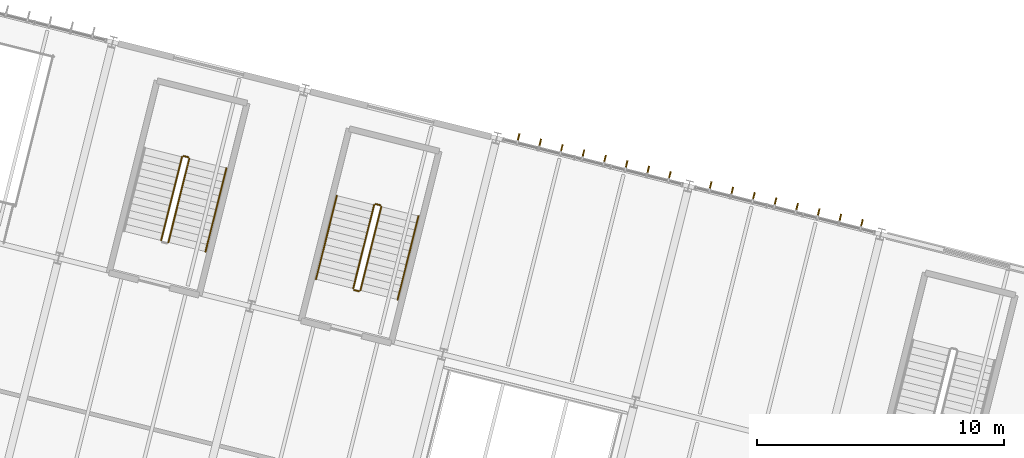
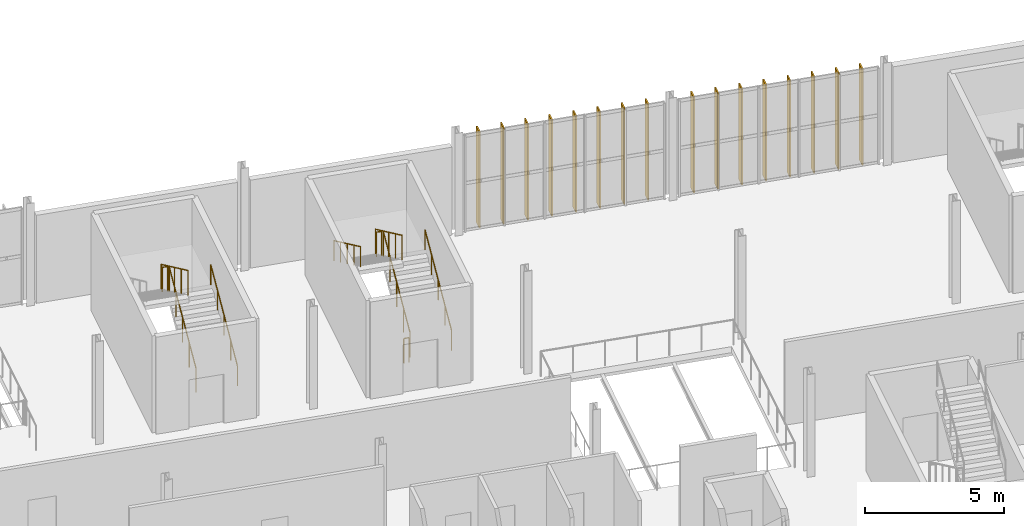
# One storey, part 152 of 152: 16 shading devices, 10 railings.
"""IFC4 building model written with IfcOpenShell, lengths in metres."""

from ifc_helpers import new_model, si_unit, derived_unit, direction, frame, origin, origin_2d, place, context, subcontext, project, spatial, rectangle, circle, extrude, material, layer, layer_set, type_object, element, save


model = new_model("IFC4")

# Units and contexts
model_context = context("Model", 3, precision=1e-05, world=origin(), true_north=direction((0.0, 1.0)))
body_context = subcontext(model_context, "Body", "Model", "MODEL_VIEW")
ifc_project = project(units=[si_unit("LENGTHUNIT", "METRE"), si_unit("AREAUNIT", "SQUARE_METRE"), si_unit("VOLUMEUNIT", "CUBIC_METRE"), si_unit("PLANEANGLEUNIT", "RADIAN"), si_unit("MASSUNIT", "GRAM", prefix="KILO"), si_unit("THERMODYNAMICTEMPERATUREUNIT", "KELVIN"), si_unit("TIMEUNIT", "SECOND"), derived_unit("THERMALTRANSMITTANCEUNIT", [(si_unit("MASSUNIT", "GRAM", prefix="KILO"), 1), (si_unit("THERMODYNAMICTEMPERATUREUNIT", "KELVIN"), -1), (si_unit("TIMEUNIT", "SECOND"), -3)])], contexts=[model_context])

# Site, building, storey
site_placement = place(None, origin())
site = spatial("IfcSite", under=ifc_project, at=site_placement, CompositionType="ELEMENT")
building_placement = place(site_placement, origin())
building = spatial("IfcBuilding", under=site, at=building_placement, Name="Cambertide Market Hall", CompositionType="ELEMENT")
storey_placement = place(building_placement, frame((0.0, 0.0, 5.39990234375)))
storey = spatial("IfcBuildingStorey", under=building, at=storey_placement, Name="L02", CompositionType="ELEMENT", Elevation=5.39990234375)

# Railings
ifc_material_1 = material(Name="Stainless Steel Grade 316", Category="metal")
railing_type_1 = type_object("IfcRailingType", Name="Stair Wall Handrail 900", PredefinedType="HANDRAIL", material=ifc_material_1)
railing_1_placement = place(storey_placement, frame((141.591064453125, 111.908447265625, 0.173095703125)))
element("IfcRailing", 1, at=railing_1_placement, inside=storey, type_object=railing_type_1, Name="Level 2 ST-07B stair handrail 1", PredefinedType="HANDRAIL", context=body_context, shape_type="SweptSolid", body=[
    extrude(circle(Radius=0.02392578125, at=origin_2d()), frame((0.0, 0.0, 0.8759765625), z_axis=(0.208310208814, 0.833060115007, 0.51246239051), x_axis=(-0.970130119141, 0.242585143683, 0.0)), (0.0, 0.0, 1.0), 4.052734375),
    extrude(circle(Radius=0.02099609375, at=origin_2d()), origin(), (0.0, 0.0, 1.0), 0.851806640625),
    extrude(circle(Radius=0.02099609375, at=origin_2d()), frame((0.2109375, 0.843994140625, 0.519287109375)), (0.0, 0.0, 1.0), 0.851806640625),
    extrude(circle(Radius=0.02099609375, at=origin_2d()), frame((0.422119140625, 1.68798828125, 1.03857421875)), (0.0, 0.0, 1.0), 0.851806640625),
    extrude(circle(Radius=0.02099609375, at=origin_2d()), frame((0.63330078125, 2.5322265625, 1.5576171875)), (0.0, 0.0, 1.0), 0.851806640625),
    extrude(circle(Radius=0.02099609375, at=origin_2d()), frame((0.84423828125, 3.376220703125, 2.076904296875)), (0.0, 0.0, 1.0), 0.851806640625),
])
railing_2_placement = place(storey_placement, frame((149.352294921875, 109.96826171875, 0.173095703125)))
element("IfcRailing", 2, at=railing_2_placement, inside=storey, type_object=railing_type_1, Name="Level 2 ST-09 stair handrail 1", PredefinedType="HANDRAIL", context=body_context, shape_type="SweptSolid", body=[
    extrude(circle(Radius=0.02392578125, at=origin_2d()), frame((0.0, 0.0, 0.8759765625), z_axis=(0.208263033191, 0.833052132762, 0.512494539587), x_axis=(-0.970142500145, 0.242535625036, 0.0)), (0.0, 0.0, 1.0), 4.052490234375),
    extrude(circle(Radius=0.02099609375, at=origin_2d()), origin(), (0.0, 0.0, 1.0), 0.851806640625),
    extrude(circle(Radius=0.02099609375, at=origin_2d()), frame((0.2109375, 0.843994140625, 0.519287109375)), (0.0, 0.0, 1.0), 0.851806640625),
    extrude(circle(Radius=0.02099609375, at=origin_2d()), frame((0.421875, 1.68798828125, 1.03857421875)), (0.0, 0.0, 1.0), 0.851806640625),
    extrude(circle(Radius=0.02099609375, at=origin_2d()), frame((0.633056640625, 2.531982421875, 1.5576171875)), (0.0, 0.0, 1.0), 0.851806640625),
    extrude(circle(Radius=0.02099609375, at=origin_2d()), frame((0.843994140625, 3.3759765625, 2.076904296875)), (0.0, 0.0, 1.0), 0.851806640625),
])
railing_3_placement = place(storey_placement, frame((146.89794921875, 114.1689453125, 2.423095703125)))
element("IfcRailing", 3, at=railing_3_placement, inside=storey, type_object=railing_type_1, Name="Level 2 ST-09 stair handrail 2", PredefinedType="HANDRAIL", context=body_context, shape_type="SweptSolid", body=[
    extrude(circle(Radius=0.02392578125, at=origin_2d()), frame((0.0, 0.0, 0.8759765625), z_axis=(-0.208252581653, -0.833070567451, 0.5124688204), x_axis=(0.970146626655, -0.2425191184, 0.0)), (0.0, 0.0, 1.0), 4.052734375),
    extrude(circle(Radius=0.02099609375, at=origin_2d()), origin(), (0.0, 0.0, 1.0), 0.851806640625),
    extrude(circle(Radius=0.02099609375, at=origin_2d()), frame((-0.2109375, -0.843994140625, 0.519287109375)), (0.0, 0.0, 1.0), 0.851806640625),
    extrude(circle(Radius=0.02099609375, at=origin_2d()), frame((-0.421875, -1.68798828125, 1.03857421875)), (0.0, 0.0, 1.0), 0.851806640625),
    extrude(circle(Radius=0.02099609375, at=origin_2d()), frame((-0.633056640625, -2.5322265625, 1.5576171875)), (0.0, 0.0, 1.0), 0.851806640625),
    extrude(circle(Radius=0.02099609375, at=origin_2d()), frame((-0.843994140625, -3.376220703125, 2.076904296875)), (0.0, 0.0, 1.0), 0.851806640625),
])
ifc_material_2 = material(Name="Stainless Steel Grade 316", Category="metal")
railing_type_2 = type_object("IfcRailingType", Name="Stairwell Inner Guardrail 1100", PredefinedType="GUARDRAIL", material=ifc_material_2)
railing_4_placement = place(storey_placement, frame((140.08740234375, 112.284423828125, 0.173095703125)))
element("IfcRailing", 4, at=railing_4_placement, inside=storey, type_object=railing_type_2, Name="Level 2 ST-07B stair guard 1", PredefinedType="GUARDRAIL", context=body_context, shape_type="SweptSolid", body=[
    extrude(circle(Radius=0.02392578125, at=origin_2d()), frame((0.0, 0.0, 1.076171875), z_axis=(0.208252581653, 0.833070567451, 0.5124688204), x_axis=(-0.970146626655, 0.2425191184, 0.0)), (0.0, 0.0, 1.0), 4.052734375),
    extrude(circle(Radius=0.02099609375, at=origin_2d()), origin(), (0.0, 0.0, 1.0), 1.052001953125),
    extrude(circle(Radius=0.02099609375, at=origin_2d()), frame((0.2109375, 0.843994140625, 0.519287109375)), (0.0, 0.0, 1.0), 1.052001953125),
    extrude(circle(Radius=0.02099609375, at=origin_2d()), frame((0.421875, 1.68798828125, 1.03857421875)), (0.0, 0.0, 1.0), 1.052001953125),
    extrude(circle(Radius=0.02099609375, at=origin_2d()), frame((0.633056640625, 2.5322265625, 1.5576171875)), (0.0, 0.0, 1.0), 1.052001953125),
    extrude(circle(Radius=0.02099609375, at=origin_2d()), frame((0.843994140625, 3.376220703125, 2.076904296875)), (0.0, 0.0, 1.0), 1.052001953125),
])
railing_5_placement = place(storey_placement, frame((140.89501953125, 115.72119140625, 2.25)))
element("IfcRailing", 5, at=railing_5_placement, inside=storey, type_object=railing_type_2, Name="Level 2 ST-07B stair guard 2", PredefinedType="GUARDRAIL", context=body_context, shape_type="SweptSolid", body=[
    extrude(circle(Radius=0.02392578125, at=origin_2d()), frame((0.0, 0.0, 1.076171875), z_axis=(-0.969998605015, 0.24311048161, 0.0), x_axis=(-0.24311048161, -0.969998605015, 0.0)), (0.0, 0.0, 1.0), 0.199951171875),
    extrude(circle(Radius=0.02099609375, at=origin_2d()), origin(), (0.0, 0.0, 1.0), 1.052001953125),
    extrude(circle(Radius=0.02099609375, at=origin_2d()), frame((-0.19384765625, 0.048583984375, 0.0)), (0.0, 0.0, 1.0), 1.052001953125),
])
railing_6_placement = place(storey_placement, frame((140.640380859375, 115.7333984375, 2.423095703125)))
element("IfcRailing", 6, at=railing_6_placement, inside=storey, type_object=railing_type_2, Name="Level 2 ST-07B stair guard 3", PredefinedType="GUARDRAIL", context=body_context, shape_type="SweptSolid", body=[
    extrude(circle(Radius=0.02392578125, at=origin_2d()), frame((0.0, 0.0, 1.076171875), z_axis=(-0.208252581653, -0.833070567451, 0.5124688204), x_axis=(0.970146626655, -0.2425191184, 0.0)), (0.0, 0.0, 1.0), 4.052734375),
    extrude(circle(Radius=0.02099609375, at=origin_2d()), origin(), (0.0, 0.0, 1.0), 1.052001953125),
    extrude(circle(Radius=0.02099609375, at=origin_2d()), frame((-0.2109375, -0.843994140625, 0.519287109375)), (0.0, 0.0, 1.0), 1.052001953125),
    extrude(circle(Radius=0.02099609375, at=origin_2d()), frame((-0.421875, -1.68798828125, 1.03857421875)), (0.0, 0.0, 1.0), 1.052001953125),
    extrude(circle(Radius=0.02099609375, at=origin_2d()), frame((-0.633056640625, -2.5322265625, 1.5576171875)), (0.0, 0.0, 1.0), 1.052001953125),
    extrude(circle(Radius=0.02099609375, at=origin_2d()), frame((-0.843994140625, -3.376220703125, 2.076904296875)), (0.0, 0.0, 1.0), 1.052001953125),
])
railing_7_placement = place(storey_placement, frame((147.8486328125, 110.34423828125, 0.173095703125)))
element("IfcRailing", 7, at=railing_7_placement, inside=storey, type_object=railing_type_2, Name="Level 2 ST-09 stair guard 1", PredefinedType="GUARDRAIL", context=body_context, shape_type="SweptSolid", body=[
    extrude(circle(Radius=0.02392578125, at=origin_2d()), frame((0.0, 0.0, 1.076171875), z_axis=(0.208263033191, 0.833052132762, 0.512494539587), x_axis=(-0.970142500145, 0.242535625036, 0.0)), (0.0, 0.0, 1.0), 4.052490234375),
    extrude(circle(Radius=0.02099609375, at=origin_2d()), origin(), (0.0, 0.0, 1.0), 1.052001953125),
    extrude(circle(Radius=0.02099609375, at=origin_2d()), frame((0.2109375, 0.843994140625, 0.519287109375)), (0.0, 0.0, 1.0), 1.052001953125),
    extrude(circle(Radius=0.02099609375, at=origin_2d()), frame((0.421875, 1.68798828125, 1.03857421875)), (0.0, 0.0, 1.0), 1.052001953125),
    extrude(circle(Radius=0.02099609375, at=origin_2d()), frame((0.633056640625, 2.531982421875, 1.5576171875)), (0.0, 0.0, 1.0), 1.052001953125),
    extrude(circle(Radius=0.02099609375, at=origin_2d()), frame((0.843994140625, 3.3759765625, 2.076904296875)), (0.0, 0.0, 1.0), 1.052001953125),
])
railing_8_placement = place(storey_placement, frame((148.65625, 113.78076171875, 2.25)))
element("IfcRailing", 8, at=railing_8_placement, inside=storey, type_object=railing_type_2, Name="Level 2 ST-09 stair guard 2", PredefinedType="GUARDRAIL", context=body_context, shape_type="SweptSolid", body=[
    extrude(circle(Radius=0.02392578125, at=origin_2d()), frame((0.0, 0.0, 1.076171875), z_axis=(-0.970070680326, 0.242822723755, 0.0), x_axis=(-0.242822723755, -0.970070680326, 0.0)), (0.0, 0.0, 1.0), 0.2001953125),
    extrude(circle(Radius=0.02099609375, at=origin_2d()), origin(), (0.0, 0.0, 1.0), 1.052001953125),
    extrude(circle(Radius=0.02099609375, at=origin_2d()), frame((-0.194091796875, 0.048583984375, 0.0)), (0.0, 0.0, 1.0), 1.052001953125),
])
railing_9_placement = place(storey_placement, frame((148.401611328125, 113.79296875, 2.423095703125)))
element("IfcRailing", 9, at=railing_9_placement, inside=storey, type_object=railing_type_2, Name="Level 2 ST-09 stair guard 3", PredefinedType="GUARDRAIL", context=body_context, shape_type="SweptSolid", body=[
    extrude(circle(Radius=0.02392578125, at=origin_2d()), frame((0.0, 0.0, 1.076171875), z_axis=(-0.208263033191, -0.833052132762, 0.512494539587), x_axis=(0.970142500145, -0.242535625036, 0.0)), (0.0, 0.0, 1.0), 4.052490234375),
    extrude(circle(Radius=0.02099609375, at=origin_2d()), origin(), (0.0, 0.0, 1.0), 1.052001953125),
    extrude(circle(Radius=0.02099609375, at=origin_2d()), frame((-0.2109375, -0.843994140625, 0.519287109375)), (0.0, 0.0, 1.0), 1.052001953125),
    extrude(circle(Radius=0.02099609375, at=origin_2d()), frame((-0.421875, -1.68798828125, 1.03857421875)), (0.0, 0.0, 1.0), 1.052001953125),
    extrude(circle(Radius=0.02099609375, at=origin_2d()), frame((-0.633056640625, -2.531982421875, 1.5576171875)), (0.0, 0.0, 1.0), 1.052001953125),
    extrude(circle(Radius=0.02099609375, at=origin_2d()), frame((-0.843994140625, -3.3759765625, 2.076904296875)), (0.0, 0.0, 1.0), 1.052001953125),
])
railing_10_placement = place(storey_placement, frame((147.7880859375, 110.307861328125, 0.0)))
element("IfcRailing", 10, at=railing_10_placement, inside=storey, type_object=railing_type_2, Name="Level 2 ST-09 stair guard 4", PredefinedType="GUARDRAIL", context=body_context, shape_type="SweptSolid", body=[
    extrude(circle(Radius=0.02392578125, at=origin_2d()), frame((0.0, 0.0, 1.076171875), z_axis=(-0.970357513234, 0.241673946692, 0.0), x_axis=(-0.241673946692, -0.970357513234, 0.0)), (0.0, 0.0, 1.0), 0.199951171875),
    extrude(circle(Radius=0.02099609375, at=origin_2d()), origin(), (0.0, 0.0, 1.0), 1.052001953125),
    extrude(circle(Radius=0.02099609375, at=origin_2d()), frame((-0.194091796875, 0.04833984375, 0.0)), (0.0, 0.0, 1.0), 1.052001953125),
])

# Shading devices
ifc_material_3 = material(Name="Champagne Marine Anodized Aluminium 6063-T6 AA25", Category="aluminium")
ifc_layer = layer(ifc_material_3, 0.054931640625, Name="Wing Facade Vertical Sun Fin 380x55")
ifc_layer_set = layer_set([ifc_layer], Name="Champagne Marine Anodized Aluminium 6063-T6 AA25")
shading_device_type = type_object("IfcShadingDeviceType", Name="Wing Facade Vertical Sun Fin 380x55", PredefinedType="JALOUSIE", material=ifc_layer_set)
for number, where, z_axis, x_axis, name in (
    (11, (154.229736328125, 116.489990234375, 0.0), (0.0, 0.0, 1.0), (0.970142500145, -0.242535625038, 0.0), "CW-V4N-L02-6 Vertical Fin 1"),
    (12, (155.102783203125, 116.271728515625, 0.0), (0.0, 0.0, 1.0), (0.970142500145, -0.242535625038, 0.0), "CW-V4N-L02-6 Vertical Fin 2"),
    (13, (155.97607421875, 116.053466796875, 0.0), (0.0, 0.0, 1.0), (0.970142500145, -0.242535625038, 0.0), "CW-V4N-L02-6 Vertical Fin 3"),
    (14, (156.84912109375, 115.835205078125, 0.0), (0.0, 0.0, 1.0), (0.970142500145, -0.242535625038, 0.0), "CW-V4N-L02-6 Vertical Fin 4"),
    (15, (157.72216796875, 115.616943359375, 0.0), (0.0, 0.0, 1.0), (0.970142500145, -0.242535625038, 0.0), "CW-V4N-L02-6 Vertical Fin 5"),
    (16, (158.595458984375, 115.398681640625, 0.0), (0.0, 0.0, 1.0), (0.970142500145, -0.242535625038, 0.0), "CW-V4N-L02-6 Vertical Fin 6"),
    (17, (159.468505859375, 115.180419921875, 0.0), (0.0, 0.0, 1.0), (0.970142500145, -0.242535625038, 0.0), "CW-V4N-L02-6 Vertical Fin 7"),
    (18, (160.341552734375, 114.9619140625, 0.0), (0.0, 0.0, 1.0), (0.970142500145, -0.242535625038, 0.0), "CW-V4N-L02-6 Vertical Fin 8"),
    (19, (161.990966796875, 114.5498046875, 0.0), (0.0, 0.0, 1.0), (0.970142500145, -0.242535625038, 0.0), "CW-V4N-L02-7 Vertical Fin 1"),
    (20, (162.864013671875, 114.33154296875, 0.0), (0.0, 0.0, 1.0), (0.970142500145, -0.242535625038, 0.0), "CW-V4N-L02-7 Vertical Fin 2"),
    (21, (163.737060546875, 114.113037109375, 0.0), (0.0, 0.0, 1.0), (0.970142500145, -0.242535625038, 0.0), "CW-V4N-L02-7 Vertical Fin 3"),
    (22, (164.6103515625, 113.894775390625, 0.0), (0.0, 0.0, 1.0), (0.970142500145, -0.242535625038, 0.0), "CW-V4N-L02-7 Vertical Fin 4"),
    (23, (165.4833984375, 113.676513671875, 0.0), (0.0, 0.0, 1.0), (0.970142500145, -0.242535625038, 0.0), "CW-V4N-L02-7 Vertical Fin 5"),
    (24, (166.3564453125, 113.458251953125, 0.0), (0.0, 0.0, 1.0), (0.970142500145, -0.242535625038, 0.0), "CW-V4N-L02-7 Vertical Fin 6"),
    (25, (167.229736328125, 113.239990234375, 0.0), (0.0, 0.0, 1.0), (0.970142500145, -0.242535625038, 0.0), "CW-V4N-L02-7 Vertical Fin 7"),
    (26, (168.102783203125, 113.021728515625, 0.0), (0.0, 0.0, 1.0), (0.970142500145, -0.242535625038, 0.0), "CW-V4N-L02-7 Vertical Fin 8"),
):
    element("IfcShadingDevice", number, at=place(storey_placement, frame(where, z_axis=z_axis, x_axis=x_axis)), inside=storey, type_object=shading_device_type, Name=name, PredefinedType="JALOUSIE", context=body_context, shape_type="SweptSolid", body=[
        extrude(rectangle(XDim=0.054931640625, YDim=0.3798828125, at=origin_2d()), origin(), (0.0, 0.0, 1.0), 4.219970703125),
    ])

save(model, "model.ifc")
